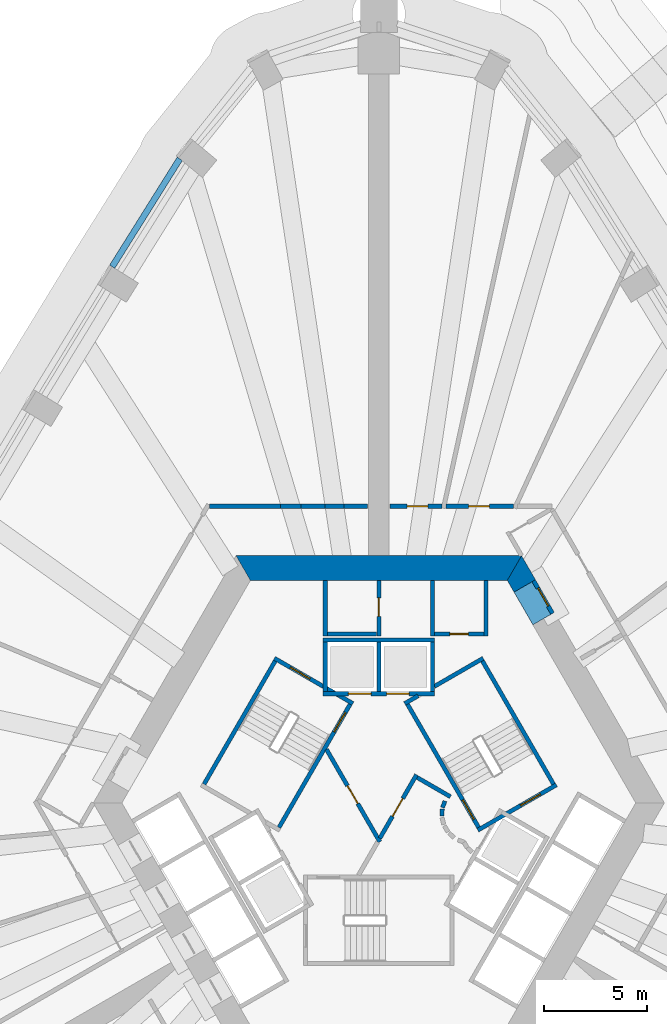
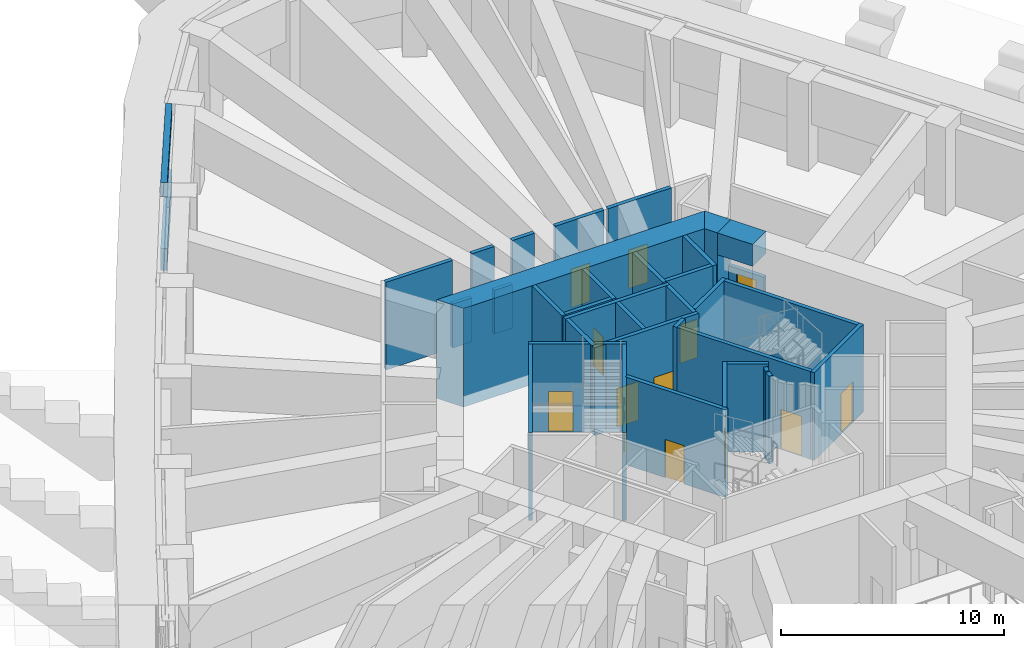
# One storey, part 8 of 20: 37 walls, 13 doors, 13 openings.
"""IFC4 building model written with IfcOpenShell, lengths in metres."""

from ifc_helpers import new_model, si_unit, direction, frame, frame_2d, origin, place, context, subcontext, project, spatial, polyline, rectangle, outline, extrude, material, layer, layer_set, type_object, element, fill, save


model = new_model("IFC4")

# Units and contexts
model_context = context("Model", 3, precision=1e-05, world=origin(), true_north=direction((0.0, 1.0)))
body_context = subcontext(model_context, "Body", "Model", "MODEL_VIEW")
ifc_project = project(units=[si_unit("LENGTHUNIT", "METRE"), si_unit("AREAUNIT", "SQUARE_METRE"), si_unit("VOLUMEUNIT", "CUBIC_METRE"), si_unit("PLANEANGLEUNIT", "RADIAN"), si_unit("MASSUNIT", "GRAM", prefix="KILO")], contexts=[model_context])

# Site, building, storey
site_placement = place(None, origin())
site = spatial("IfcSite", under=ifc_project, at=site_placement, CompositionType="ELEMENT")
building_placement = place(site_placement, origin())
building = spatial("IfcBuilding", under=site, at=building_placement, Name="Entoto Arch Interchange Tower", CompositionType="ELEMENT")
storey_placement = place(building_placement, frame((0.0, 0.0, 184.39990234375)))
storey = spatial("IfcBuildingStorey", under=building, at=storey_placement, Name="L41", CompositionType="ELEMENT", Elevation=184.39990234375)

# Wall, opening, door
ifc_material_1 = material(Name="Reinforced concrete C40/50", Category="concrete")
ifc_layer_1 = layer(ifc_material_1, 0.199951171875)
ifc_layer_set_1 = layer_set([ifc_layer_1], Name="Reinforced concrete C40/50")
wall_type_1 = type_object("IfcWallType", Name="CORE GAP INFILL WALL", PredefinedType="PARTITIONING", material=ifc_layer_set_1)
wall_1_placement = place(storey_placement, frame((8.430908203125, 11.697998046875, 0.0), z_axis=(0.0, 0.0, 1.0), x_axis=(-0.500115259676, 0.865958848352, 0.0)))
wall_1 = element("IfcWall", 1, at=wall_1_placement, inside=storey, type_object=wall_type_1, Name="wall:L41:gap2", PredefinedType="PARTITIONING", context=body_context, shape_type="SweptSolid", body=[
    extrude(rectangle(XDim=1.8291015625, YDim=0.199951171875, at=frame_2d((0.91455078125, 0.0))), origin(), (0.0, 0.0, 1.0), 2.400146484375),
])
opening_1_placement = place(wall_1_placement, frame((0.4150390625, 0.0, 0.0)))
opening_1 = element("IfcOpeningElement", 2, at=opening_1_placement, cuts=wall_1, Name="Opening L41-D92", PredefinedType="OPENING", context=body_context, shape_type="SweptSolid", body=[
    extrude(rectangle(XDim=1.0, YDim=2.10009765625, at=frame_2d((0.5, 1.050048828125))), frame((0.0, 0.10986328125, 0.0), z_axis=(0.0, -1.0, 0.0), x_axis=(1.0, 0.0, 0.0)), (0.0, 0.0, 1.0), 0.219970703125),
])
ifc_material_2 = material(Name="Fire-rated Steel S235 door and frame", Category="steel")
door_type_1 = type_object("IfcDoorType", Name="DOOR FD-10 1000x2100", OperationType="SINGLE_SWING_LEFT", PredefinedType="DOOR", material=ifc_material_2)
door_1_placement = place(opening_1_placement, origin())
door_1 = element("IfcDoor", 3, at=door_1_placement, inside=storey, type_object=door_type_1, Name="door:L41:gap2", OperationType="SINGLE_SWING_LEFT", OverallHeight=2.10009765625, OverallWidth=1.0, PredefinedType="DOOR", context=body_context, shape_type="SweptSolid", body=[
    extrude(rectangle(XDim=1.0, YDim=2.10009765625, at=frame_2d((0.5, 1.050048828125))), frame((0.0, 0.02490234375, 0.0), z_axis=(0.0, -1.0, 0.0), x_axis=(1.0, 0.0, 0.0)), (0.0, 0.0, 1.0), 0.050048828125),
])
fill(opening_1, door_1)

# Walls
ifc_material_3 = material(Name="Concrete C50/60", Category="concrete")
ifc_layer_2 = layer(ifc_material_3, 1.199951171875)
ifc_layer_set_2 = layer_set([ifc_layer_2], Name="Concrete C50/60")
wall_type_2 = type_object("IfcWallType", Name="Core wall 1200 C50/60", PredefinedType="SHEAR", material=ifc_layer_set_2)
wall_2_placement = place(storey_placement, frame((0.0, 0.0, -0.599853515625)))
element("IfcWall", 4, at=wall_2_placement, inside=storey, type_object=wall_type_2, Name="Core wall NE L41", PredefinedType="SHEAR", context=body_context, shape_type="SweptSolid", body=[
    extrude(outline(polyline([(6.56298828125, 12.73193359375), (7.60205078125, 13.33203125), (6.927978515625, 14.5), (6.235107421875, 13.300048828125), (6.56298828125, 12.73193359375)])), origin(), (0.0, 0.0, 1.0), 5.39990234375),
])
wall_3_placement = place(storey_placement, frame((0.0, 0.0, 3.60009765625)))
element("IfcWall", 5, at=wall_3_placement, inside=storey, type_object=wall_type_2, Name="Core wall lintel NE L41", PredefinedType="SHEAR", context=body_context, shape_type="SweptSolid", body=[
    extrude(outline(polyline([(7.60205078125, 13.33203125), (6.56298828125, 12.73193359375), (7.47802734375, 11.14697265625), (8.51708984375, 11.7470703125), (7.60205078125, 13.33203125)])), origin(), (0.0, 0.0, 1.0), 1.199951171875),
])
wall_4_placement = place(storey_placement, frame((0.0, 0.0, -0.599853515625)))
element("IfcWall", 6, at=wall_4_placement, inside=storey, type_object=wall_type_2, Name="Core wall N L41", PredefinedType="SHEAR", context=body_context, shape_type="SweptSolid", body=[
    extrude(outline(polyline([(6.927978515625, 14.5), (-6.927978515625, 14.5), (-6.235107421875, 13.300048828125), (6.235107421875, 13.300048828125), (6.927978515625, 14.5)])), origin(), (0.0, 0.0, 1.0), 5.39990234375),
])

# Wall, openings, doors
ifc_material_4 = material(Name="Concrete C40/50", Category="concrete")
ifc_layer_3 = layer(ifc_material_4, 0.199951171875)
ifc_layer_set_3 = layer_set([ifc_layer_3], Name="Concrete C40/50")
wall_type_3 = type_object("IfcWallType", Name="LIFT SHAFT WALL 200", PredefinedType="STANDARD", material=ifc_layer_set_3)
wall_5_placement = place(storey_placement, frame((2.699951171875, 7.800048828125, 0.0), z_axis=(0.0, 0.0, 1.0), x_axis=(-1.0, 0.0, 0.0)))
wall_5 = element("IfcWall", 7, at=wall_5_placement, inside=storey, type_object=wall_type_3, Name="Shaft wall N1 front", PredefinedType="STANDARD", context=body_context, shape_type="SweptSolid", body=[
    extrude(rectangle(XDim=5.39990234375, YDim=0.199951171875, at=frame_2d((2.699951171875, 0.0))), origin(), (0.0, 0.0, 1.0), 4.800048828125),
])
opening_2_placement = place(wall_5_placement, frame((1.22509765625, 0.0, 0.0)))
opening_2 = element("IfcOpeningElement", 8, at=opening_2_placement, cuts=wall_5, Name="Opening LD-HR1-L41", PredefinedType="OPENING", context=body_context, shape_type="SweptSolid", body=[
    extrude(rectangle(XDim=1.10009765625, YDim=2.10009765625, at=frame_2d((0.550048828125, 1.050048828125))), frame((0.0, 0.10986328125, 0.0), z_axis=(0.0, -1.0, 0.0), x_axis=(1.0, 0.0, 0.0)), (0.0, 0.0, 1.0), 0.219970703125),
])
opening_3_placement = place(wall_5_placement, frame((3.074951171875, 0.0, 0.0)))
opening_3 = element("IfcOpeningElement", 9, at=opening_3_placement, cuts=wall_5, Name="Opening LD-HR2-L41", PredefinedType="OPENING", context=body_context, shape_type="SweptSolid", body=[
    extrude(rectangle(XDim=1.10009765625, YDim=2.10009765625, at=frame_2d((0.550048828125, 1.050048828125))), frame((0.0, 0.10986328125, 0.0), z_axis=(0.0, -1.0, 0.0), x_axis=(1.0, 0.0, 0.0)), (0.0, 0.0, 1.0), 0.219970703125),
])
ifc_material_5 = material(Name="Stainless steel 1.4301 panels", Category="steel")
door_type_2 = type_object("IfcDoorType", Name="LIFT LANDING DOOR LD1 1100x2100", OperationType="SLIDING_TO_LEFT", PredefinedType="DOOR", material=ifc_material_5)
door_2_placement = place(opening_2_placement, origin())
door_2 = element("IfcDoor", 10, at=door_2_placement, inside=storey, type_object=door_type_2, Name="Lift landing door HR1 L41", OperationType="SLIDING_TO_LEFT", OverallHeight=2.10009765625, OverallWidth=1.10009765625, PredefinedType="DOOR", context=body_context, shape_type="SweptSolid", body=[
    extrude(rectangle(XDim=1.10009765625, YDim=2.10009765625, at=frame_2d((0.550048828125, 1.050048828125))), frame((0.0, 0.02490234375, 0.0), z_axis=(0.0, -1.0, 0.0), x_axis=(1.0, 0.0, 0.0)), (0.0, 0.0, 1.0), 0.050048828125),
])
fill(opening_2, door_2)
door_3_placement = place(opening_3_placement, origin())
door_3 = element("IfcDoor", 11, at=door_3_placement, inside=storey, type_object=door_type_2, Name="Lift landing door HR2 L41", OperationType="SLIDING_TO_LEFT", OverallHeight=2.10009765625, OverallWidth=1.10009765625, PredefinedType="DOOR", context=body_context, shape_type="SweptSolid", body=[
    extrude(rectangle(XDim=1.10009765625, YDim=2.10009765625, at=frame_2d((0.550048828125, 1.050048828125))), frame((0.0, 0.02490234375, 0.0), z_axis=(0.0, -1.0, 0.0), x_axis=(1.0, 0.0, 0.0)), (0.0, 0.0, 1.0), 0.050048828125),
])
fill(opening_3, door_3)

# Walls
wall_6_placement = place(storey_placement, frame((2.699951171875, 10.39990234375, 0.0), z_axis=(0.0, 0.0, 1.0), x_axis=(-1.0, 0.0, 0.0)))
element("IfcWall", 12, at=wall_6_placement, inside=storey, type_object=wall_type_3, Name="Shaft wall N1 back", PredefinedType="STANDARD", context=body_context, shape_type="SweptSolid", body=[
    extrude(rectangle(XDim=5.39990234375, YDim=0.199951171875, at=frame_2d((2.699951171875, 0.0))), origin(), (0.0, 0.0, 1.0), 4.800048828125),
])
for number, where, z_axis, x_axis, name in (
    (13, (2.60009765625, 7.89990234375, 0.0), (0.0, 0.0, 1.0), (0.0, 1.0, 0.0), "Shaft wall N1 cross 1"),
    (14, (0.0, 7.89990234375, 0.0), (0.0, 0.0, 1.0), (0.0, 1.0, 0.0), "Shaft wall N1 cross 2"),
    (15, (-2.60009765625, 7.89990234375, 0.0), (0.0, 0.0, 1.0), (0.0, 1.0, 0.0), "Shaft wall N1 cross 3"),
):
    element("IfcWall", number, at=place(storey_placement, frame(where, z_axis=z_axis, x_axis=x_axis)), inside=storey, type_object=wall_type_3, Name=name, PredefinedType="STANDARD", context=body_context, shape_type="SweptSolid", body=[
        extrude(rectangle(XDim=2.400146484375, YDim=0.199951171875, at=frame_2d((1.2001953125, 0.0))), origin(), (0.0, 0.0, 1.0), 4.800048828125),
    ])
ifc_material_6 = material(Name="Gypsum board partition on steel studs", Category="steel")
ifc_layer_4 = layer(ifc_material_6, 0.199951171875)
ifc_layer_set_4 = layer_set([ifc_layer_4], Name="Gypsum board partition on steel studs")
wall_type_4 = type_object("IfcWallType", Name="PARTITION 200", PredefinedType="PARTITIONING", material=ifc_layer_set_4)
wall_7_placement = place(storey_placement, frame((5.199951171875, 13.300048828125, 0.0), z_axis=(0.0, 0.0, 1.0), x_axis=(0.0, -1.0, 0.0)))
element("IfcWall", 16, at=wall_7_placement, inside=storey, type_object=wall_type_4, Name="wall:L41:p001", PredefinedType="PARTITIONING", context=body_context, shape_type="SweptSolid", body=[
    extrude(rectangle(XDim=2.699951171875, YDim=0.199951171875, at=frame_2d((1.35009765625, 0.0))), origin(), (0.0, 0.0, 1.0), 4.800048828125),
])

# Wall, opening, door
wall_8_placement = place(storey_placement, frame((5.10009765625, 10.699951171875, 0.0), z_axis=(0.0, 0.0, 1.0), x_axis=(-1.0, 0.0, 0.0)))
wall_8 = element("IfcWall", 17, at=wall_8_placement, inside=storey, type_object=wall_type_4, Name="wall:L41:p002", PredefinedType="PARTITIONING", context=body_context, shape_type="SweptSolid", body=[
    extrude(rectangle(XDim=2.400146484375, YDim=0.199951171875, at=frame_2d((1.2001953125, 0.0))), origin(), (0.0, 0.0, 1.0), 4.800048828125),
])
opening_4_placement = place(wall_8_placement, frame((0.75, 0.0, 0.0)))
opening_4 = element("IfcOpeningElement", 18, at=opening_4_placement, cuts=wall_8, Name="Opening L41-D22", PredefinedType="OPENING", context=body_context, shape_type="SweptSolid", body=[
    extrude(rectangle(XDim=0.89990234375, YDim=2.10009765625, at=frame_2d((0.449951171875, 1.050048828125))), frame((0.0, 0.10986328125, 0.0), z_axis=(0.0, -1.0, 0.0), x_axis=(1.0, 0.0, 0.0)), (0.0, 0.0, 1.0), 0.219970703125),
])
ifc_material_7 = material(Name="Timber door leaf in Steel S235 frame", Category="steel")
door_type_3 = type_object("IfcDoorType", Name="DOOR DS-09 900x2100", OperationType="SINGLE_SWING_LEFT", PredefinedType="DOOR", material=ifc_material_7)
door_4_placement = place(opening_4_placement, origin())
door_4 = element("IfcDoor", 19, at=door_4_placement, inside=storey, type_object=door_type_3, Name="door:L41:22", OperationType="SINGLE_SWING_RIGHT", OverallHeight=2.10009765625, OverallWidth=0.89990234375, PredefinedType="DOOR", context=body_context, shape_type="SweptSolid", body=[
    extrude(rectangle(XDim=0.89990234375, YDim=2.10009765625, at=frame_2d((0.449951171875, 1.050048828125))), frame((0.0, 0.02490234375, 0.0), z_axis=(0.0, -1.0, 0.0), x_axis=(1.0, 0.0, 0.0)), (0.0, 0.0, 1.0), 0.050048828125),
])
fill(opening_4, door_4)

# Wall
wall_9_placement = place(storey_placement, frame((2.60009765625, 10.60009765625, 0.0), z_axis=(0.0, 0.0, 1.0), x_axis=(0.0, 1.0, 0.0)))
element("IfcWall", 20, at=wall_9_placement, inside=storey, type_object=wall_type_4, Name="wall:L41:p003", PredefinedType="PARTITIONING", context=body_context, shape_type="SweptSolid", body=[
    extrude(rectangle(XDim=2.699951171875, YDim=0.199951171875, at=frame_2d((1.35009765625, 0.0))), origin(), (0.0, 0.0, 1.0), 4.800048828125),
])

# Wall, opening, door
wall_10_placement = place(storey_placement, frame((0.0, 13.300048828125, 0.0), z_axis=(0.0, 0.0, 1.0), x_axis=(0.0, -1.0, 0.0)))
wall_10 = element("IfcWall", 21, at=wall_10_placement, inside=storey, type_object=wall_type_4, Name="wall:L41:p004", PredefinedType="PARTITIONING", context=body_context, shape_type="SweptSolid", body=[
    extrude(rectangle(XDim=2.699951171875, YDim=0.199951171875, at=frame_2d((1.35009765625, 0.0))), origin(), (0.0, 0.0, 1.0), 4.800048828125),
])
opening_5_placement = place(wall_10_placement, frame((0.85009765625, 0.0, 0.0)))
opening_5 = element("IfcOpeningElement", 22, at=opening_5_placement, cuts=wall_10, Name="Opening L41-D23", PredefinedType="OPENING", context=body_context, shape_type="SweptSolid", body=[
    extrude(rectangle(XDim=0.89990234375, YDim=2.10009765625, at=frame_2d((0.449951171875, 1.050048828125))), frame((0.0, 0.10986328125, 0.0), z_axis=(0.0, -1.0, 0.0), x_axis=(1.0, 0.0, 0.0)), (0.0, 0.0, 1.0), 0.219970703125),
])
door_5_placement = place(opening_5_placement, origin())
door_5 = element("IfcDoor", 23, at=door_5_placement, inside=storey, type_object=door_type_3, Name="door:L41:23", OperationType="SINGLE_SWING_RIGHT", OverallHeight=2.10009765625, OverallWidth=0.89990234375, PredefinedType="DOOR", context=body_context, shape_type="SweptSolid", body=[
    extrude(rectangle(XDim=0.89990234375, YDim=2.10009765625, at=frame_2d((0.449951171875, 1.050048828125))), frame((0.0, 0.02490234375, 0.0), z_axis=(0.0, -1.0, 0.0), x_axis=(1.0, 0.0, 0.0)), (0.0, 0.0, 1.0), 0.050048828125),
])
fill(opening_5, door_5)

# Walls
wall_11_placement = place(storey_placement, frame((-0.10009765625, 10.699951171875, 0.0), z_axis=(0.0, 0.0, 1.0), x_axis=(-1.0, 0.0, 0.0)))
element("IfcWall", 24, at=wall_11_placement, inside=storey, type_object=wall_type_4, Name="wall:L41:p005", PredefinedType="PARTITIONING", context=body_context, shape_type="SweptSolid", body=[
    extrude(rectangle(XDim=2.39990234375, YDim=0.199951171875, at=frame_2d((1.199951171875, 0.0))), origin(), (0.0, 0.0, 1.0), 4.800048828125),
])
wall_12_placement = place(storey_placement, frame((-2.60009765625, 10.60009765625, 0.0), z_axis=(0.0, 0.0, 1.0), x_axis=(0.0, 1.0, 0.0)))
element("IfcWall", 25, at=wall_12_placement, inside=storey, type_object=wall_type_4, Name="wall:L41:p006", PredefinedType="PARTITIONING", context=body_context, shape_type="SweptSolid", body=[
    extrude(rectangle(XDim=2.699951171875, YDim=0.199951171875, at=frame_2d((1.35009765625, 0.0))), origin(), (0.0, 0.0, 1.0), 4.800048828125),
])
wall_13_placement = place(storey_placement, frame((1.865966796875, 3.73193359375, 0.0), z_axis=(0.0, 0.0, 1.0), x_axis=(0.866043361281, -0.499968895414, 0.0)))
element("IfcWall", 26, at=wall_13_placement, inside=storey, type_object=wall_type_4, Name="wall:L41:p008", PredefinedType="PARTITIONING", context=body_context, shape_type="SweptSolid", body=[
    extrude(rectangle(XDim=1.85791015625, YDim=0.199951171875, at=frame_2d((0.928955078125, 0.0))), origin(), (0.0, 0.0, 1.0), 4.800048828125),
])
wall_14_placement = place(storey_placement, frame((3.2080078125, 2.592041015625, 0.0), z_axis=(0.0, 0.0, 1.0), x_axis=(-0.337388820924, -0.941365382578, 0.0)))
element("IfcWall", 27, at=wall_14_placement, inside=storey, type_object=wall_type_4, Name="wall:L41:p009", PredefinedType="PARTITIONING", context=body_context, shape_type="SweptSolid", body=[
    extrude(rectangle(XDim=0.337890625, YDim=0.199951171875, at=frame_2d((0.1689453125, 0.0))), origin(), (0.0, 0.0, 1.0), 4.800048828125),
])
wall_15_placement = place(storey_placement, frame((3.0791015625, 2.198974609375, 0.0), z_axis=(0.0, 0.0, 1.0), x_axis=(-0.047771483479, -0.998858290933, 0.0)))
element("IfcWall", 28, at=wall_15_placement, inside=storey, type_object=wall_type_4, Name="wall:L41:p010", PredefinedType="PARTITIONING", context=body_context, shape_type="SweptSolid", body=[
    extrude(rectangle(XDim=0.33740234375, YDim=0.199951171875, at=frame_2d((0.168701171875, 0.0))), origin(), (0.0, 0.0, 1.0), 4.800048828125),
])

# Wall, opening, door
wall_16_placement = place(storey_placement, frame((0.050048828125, 0.787109375, 0.0), z_axis=(0.0, 0.0, 1.0), x_axis=(0.499954076797, 0.866051915934, 0.0)))
wall_16 = element("IfcWall", 29, at=wall_16_placement, inside=storey, type_object=wall_type_4, Name="wall:L41:p017", PredefinedType="PARTITIONING", context=body_context, shape_type="SweptSolid", body=[
    extrude(rectangle(XDim=3.558349609375, YDim=0.199951171875, at=frame_2d((1.779296875, 0.0))), origin(), (0.0, 0.0, 1.0), 4.800048828125),
])
opening_6_placement = place(wall_16_placement, frame((1.22900390625, 0.0, 0.0)))
opening_6 = element("IfcOpeningElement", 30, at=opening_6_placement, cuts=wall_16, Name="Opening L41-D20", PredefinedType="OPENING", context=body_context, shape_type="SweptSolid", body=[
    extrude(rectangle(XDim=1.0, YDim=2.10009765625, at=frame_2d((0.5, 1.050048828125))), frame((0.0, 0.10986328125, 0.0), z_axis=(0.0, -1.0, 0.0), x_axis=(1.0, 0.0, 0.0)), (0.0, 0.0, 1.0), 0.219970703125),
])
door_6_placement = place(opening_6_placement, origin())
door_6 = element("IfcDoor", 31, at=door_6_placement, inside=storey, type_object=door_type_1, Name="door:L41:20", OperationType="SINGLE_SWING_RIGHT", OverallHeight=2.10009765625, OverallWidth=1.0, PredefinedType="DOOR", context=body_context, shape_type="SweptSolid", body=[
    extrude(rectangle(XDim=1.0, YDim=2.10009765625, at=frame_2d((0.5, 1.050048828125))), frame((0.0, 0.02490234375, 0.0), z_axis=(0.0, -1.0, 0.0), x_axis=(1.0, 0.0, 0.0)), (0.0, 0.0, 1.0), 0.050048828125),
])
fill(opening_6, door_6)

wall_17_placement = place(storey_placement, frame((-2.5400390625, 5.10009765625, 0.0), z_axis=(0.0, 0.0, 1.0), x_axis=(0.499925051871, -0.866068670783, 0.0)))
wall_17 = element("IfcWall", 32, at=wall_17_placement, inside=storey, type_object=wall_type_4, Name="wall:L41:p018", PredefinedType="PARTITIONING", context=body_context, shape_type="SweptSolid", body=[
    extrude(rectangle(XDim=5.180908203125, YDim=0.199951171875, at=frame_2d((2.59033203125, 0.0))), origin(), (0.0, 0.0, 1.0), 4.800048828125),
])
opening_7_placement = place(wall_17_placement, frame((2.0400390625, 0.0, 0.0)))
opening_7 = element("IfcOpeningElement", 33, at=opening_7_placement, cuts=wall_17, Name="Opening L41-D21", PredefinedType="OPENING", context=body_context, shape_type="SweptSolid", body=[
    extrude(rectangle(XDim=1.0, YDim=2.10009765625, at=frame_2d((0.5, 1.050048828125))), frame((0.0, 0.10986328125, 0.0), z_axis=(0.0, -1.0, 0.0), x_axis=(1.0, 0.0, 0.0)), (0.0, 0.0, 1.0), 0.219970703125),
])
door_7_placement = place(opening_7_placement, origin())
door_7 = element("IfcDoor", 34, at=door_7_placement, inside=storey, type_object=door_type_1, Name="door:L41:21", OperationType="SINGLE_SWING_RIGHT", OverallHeight=2.10009765625, OverallWidth=1.0, PredefinedType="DOOR", context=body_context, shape_type="SweptSolid", body=[
    extrude(rectangle(XDim=1.0, YDim=2.10009765625, at=frame_2d((0.5, 1.050048828125))), frame((0.0, 0.02490234375, 0.0), z_axis=(0.0, -1.0, 0.0), x_axis=(1.0, 0.0, 0.0)), (0.0, 0.0, 1.0), 0.050048828125),
])
fill(opening_7, door_7)

wall_18_placement = place(storey_placement, frame((3.260009765625, 16.89990234375, 0.0), z_axis=(0.0, 0.0, 1.0), x_axis=(1.0, 0.0, 0.0)))
wall_18 = element("IfcWall", 35, at=wall_18_placement, inside=storey, type_object=wall_type_4, Name="wall:L41:p046", PredefinedType="PARTITIONING", context=body_context, shape_type="SweptSolid", body=[
    extrude(rectangle(XDim=3.281005859375, YDim=0.199951171875, at=frame_2d((1.640625, 0.0))), origin(), (0.0, 0.0, 1.0), 4.800048828125),
])
opening_8_placement = place(wall_18_placement, frame((1.10302734375, 0.0, 0.0)))
opening_8 = element("IfcOpeningElement", 36, at=opening_8_placement, cuts=wall_18, Name="Opening L41-D10", PredefinedType="OPENING", context=body_context, shape_type="SweptSolid", body=[
    extrude(rectangle(XDim=1.0, YDim=2.10009765625, at=frame_2d((0.5, 1.050048828125))), frame((0.0, 0.10986328125, 0.0), z_axis=(0.0, -1.0, 0.0), x_axis=(1.0, 0.0, 0.0)), (0.0, 0.0, 1.0), 0.219970703125),
])
door_8_placement = place(opening_8_placement, origin())
door_8 = element("IfcDoor", 37, at=door_8_placement, inside=storey, type_object=door_type_1, Name="door:L41:10", OperationType="SINGLE_SWING_RIGHT", OverallHeight=2.10009765625, OverallWidth=1.0, PredefinedType="DOOR", context=body_context, shape_type="SweptSolid", body=[
    extrude(rectangle(XDim=1.0, YDim=2.10009765625, at=frame_2d((0.5, 1.050048828125))), frame((0.0, 0.02490234375, 0.0), z_axis=(0.0, -1.0, 0.0), x_axis=(1.0, 0.0, 0.0)), (0.0, 0.0, 1.0), 0.050048828125),
])
fill(opening_8, door_8)

wall_19_placement = place(storey_placement, frame((0.550048828125, 16.89990234375, 0.0), z_axis=(0.0, 0.0, 1.0), x_axis=(1.0, 0.0, 0.0)))
wall_19 = element("IfcWall", 38, at=wall_19_placement, inside=storey, type_object=wall_type_4, Name="wall:L41:p047", PredefinedType="PARTITIONING", context=body_context, shape_type="SweptSolid", body=[
    extrude(rectangle(XDim=2.510009765625, YDim=0.199951171875, at=frame_2d((1.2548828125, 0.0))), origin(), (0.0, 0.0, 1.0), 4.800048828125),
])
opening_9_placement = place(wall_19_placement, frame((0.830078125, 0.0, 0.0)))
opening_9 = element("IfcOpeningElement", 39, at=opening_9_placement, cuts=wall_19, Name="Opening L41-D11", PredefinedType="OPENING", context=body_context, shape_type="SweptSolid", body=[
    extrude(rectangle(XDim=1.0, YDim=2.10009765625, at=frame_2d((0.5, 1.050048828125))), frame((0.0, 0.10986328125, 0.0), z_axis=(0.0, -1.0, 0.0), x_axis=(1.0, 0.0, 0.0)), (0.0, 0.0, 1.0), 0.219970703125),
])
door_9_placement = place(opening_9_placement, origin())
door_9 = element("IfcDoor", 40, at=door_9_placement, inside=storey, type_object=door_type_1, Name="door:L41:11", OperationType="SINGLE_SWING_LEFT", OverallHeight=2.10009765625, OverallWidth=1.0, PredefinedType="DOOR", context=body_context, shape_type="SweptSolid", body=[
    extrude(rectangle(XDim=1.0, YDim=2.10009765625, at=frame_2d((0.5, 1.050048828125))), frame((0.0, 0.02490234375, 0.0), z_axis=(0.0, -1.0, 0.0), x_axis=(1.0, 0.0, 0.0)), (0.0, 0.0, 1.0), 0.050048828125),
])
fill(opening_9, door_9)

# Walls
wall_20_placement = place(storey_placement, frame((-8.214111328125, 16.89990234375, 0.0), z_axis=(0.0, 0.0, 1.0), x_axis=(1.0, 0.0, 0.0)))
element("IfcWall", 41, at=wall_20_placement, inside=storey, type_object=wall_type_4, Name="wall:L41:p057", PredefinedType="PARTITIONING", context=body_context, shape_type="SweptSolid", body=[
    extrude(rectangle(XDim=3.441162109375, YDim=0.199951171875, at=frame_2d((1.720703125, 0.0))), origin(), (0.0, 0.0, 1.0), 4.800048828125),
])
wall_21_placement = place(storey_placement, frame((-4.77294921875, 16.89990234375, 0.0), z_axis=(0.0, 0.0, 1.0), x_axis=(1.0, 0.0, 0.0)))
element("IfcWall", 42, at=wall_21_placement, inside=storey, type_object=wall_type_4, Name="wall:L41:p057", PredefinedType="PARTITIONING", context=body_context, shape_type="SweptSolid", body=[
    extrude(rectangle(XDim=0.998046875, YDim=0.199951171875, at=frame_2d((0.4990234375, 0.0))), origin(), (0.0, 0.0, 1.0), 2.400146484375),
])
wall_22_placement = place(storey_placement, frame((-3.77490234375, 16.89990234375, 0.0), z_axis=(0.0, 0.0, 1.0), x_axis=(1.0, 0.0, 0.0)))
element("IfcWall", 43, at=wall_22_placement, inside=storey, type_object=wall_type_4, Name="wall:L41:p057", PredefinedType="PARTITIONING", context=body_context, shape_type="SweptSolid", body=[
    extrude(rectangle(XDim=1.15283203125, YDim=0.199951171875, at=frame_2d((0.576416015625, 0.0))), origin(), (0.0, 0.0, 1.0), 4.800048828125),
])
wall_23_placement = place(storey_placement, frame((-2.6220703125, 16.89990234375, 0.0), z_axis=(0.0, 0.0, 1.0), x_axis=(1.0, 0.0, 0.0)))
element("IfcWall", 44, at=wall_23_placement, inside=storey, type_object=wall_type_4, Name="wall:L41:p057", PredefinedType="PARTITIONING", context=body_context, shape_type="SweptSolid", body=[
    extrude(rectangle(XDim=0.940185546875, YDim=0.199951171875, at=frame_2d((0.47021484375, 0.0))), origin(), (0.0, 0.0, 1.0), 2.400146484375),
])
wall_24_placement = place(storey_placement, frame((-1.681884765625, 16.89990234375, 0.0), z_axis=(0.0, 0.0, 1.0), x_axis=(1.0, 0.0, 0.0)))
element("IfcWall", 45, at=wall_24_placement, inside=storey, type_object=wall_type_4, Name="wall:L41:p057", PredefinedType="PARTITIONING", context=body_context, shape_type="SweptSolid", body=[
    extrude(rectangle(XDim=1.1318359375, YDim=0.199951171875, at=frame_2d((0.56591796875, 0.0))), origin(), (0.0, 0.0, 1.0), 4.800048828125),
])
ifc_material_8 = material(Name="Board-marked precast concrete C50/60", Category="concrete")
ifc_layer_5 = layer(ifc_material_8, 0.300048828125)
ifc_layer_set_5 = layer_set([ifc_layer_5], Name="Board-marked precast concrete C50/60")
wall_type_5 = type_object("IfcWallType", Name="PRECAST FRAME WALL 300", PredefinedType="STANDARD", material=ifc_layer_set_5)
wall_25_placement = place(storey_placement, frame((-9.658935546875, 33.762939453125, 0.0), z_axis=(0.0, 0.0, 1.0), x_axis=(-0.530698032758, -0.847560970094, 0.0)))
element("IfcWall", 46, at=wall_25_placement, inside=storey, type_object=wall_type_5, Name="Frame sill wall NW-01 L41", PredefinedType="STANDARD", context=body_context, shape_type="SweptSolid", body=[
    extrude(rectangle(XDim=6.182373046875, YDim=0.300048828125, at=frame_2d((3.09130859375, 0.0))), origin(), (0.0, 0.0, 1.0), 1.2001953125),
])
wall_26_placement = place(storey_placement, frame((-9.658935546875, 33.762939453125, 4.0), z_axis=(0.0, 0.0, 1.0), x_axis=(-0.530698032758, -0.847560970094, 0.0)))
element("IfcWall", 47, at=wall_26_placement, inside=storey, type_object=wall_type_5, Name="Frame head wall NW-01 L41", PredefinedType="STANDARD", context=body_context, shape_type="SweptSolid", body=[
    extrude(rectangle(XDim=6.182373046875, YDim=0.300048828125, at=frame_2d((3.09130859375, 0.0))), origin(), (0.0, 0.0, 1.0), 0.800048828125),
])

# Wall, opening, door
ifc_layer_6 = layer(ifc_material_4, 0.199951171875)
ifc_layer_set_6 = layer_set([ifc_layer_6], Name="Concrete C40/50")
wall_type_6 = type_object("IfcWallType", Name="STAIR ENCLOSURE WALL 200", PredefinedType="STANDARD", material=ifc_layer_set_6)
wall_27_placement = place(storey_placement, frame((4.805908203125, 1.176025390625, 0.0), z_axis=(0.0, 0.0, 1.0), x_axis=(0.866059941101, 0.499940174841, 0.0)))
wall_27 = element("IfcWall", 48, at=wall_27_placement, inside=storey, type_object=wall_type_6, Name="Stair wall ST-NE near", PredefinedType="STANDARD", context=body_context, shape_type="SweptSolid", body=[
    extrude(rectangle(XDim=4.400390625, YDim=0.199951171875, at=frame_2d((2.2001953125, 0.0))), origin(), (0.0, 0.0, 1.0), 4.800048828125),
])
opening_10_placement = place(wall_27_placement, frame((2.39990234375, 0.0, 0.0)))
opening_10 = element("IfcOpeningElement", 49, at=opening_10_placement, cuts=wall_27, Name="Opening SD-ST-NE-L41-E", PredefinedType="OPENING", context=body_context, shape_type="SweptSolid", body=[
    extrude(rectangle(XDim=1.10009765625, YDim=2.199951171875, at=frame_2d((0.550048828125, 1.10009765625))), frame((0.0, 0.10986328125, 0.0), z_axis=(0.0, -1.0, 0.0), x_axis=(1.0, 0.0, 0.0)), (0.0, 0.0, 1.0), 0.219970703125),
])
ifc_material_9 = material(Name="Steel S235", Category="steel")
door_type_4 = type_object("IfcDoorType", Name="STAIR DOOR SD1 1100x2200", OperationType="SINGLE_SWING_LEFT", PredefinedType="DOOR", material=ifc_material_9)
door_10_placement = place(opening_10_placement, origin())
door_10 = element("IfcDoor", 50, at=door_10_placement, inside=storey, type_object=door_type_4, Name="Stair door ST-NE L41 end", OperationType="SINGLE_SWING_LEFT", OverallHeight=2.199951171875, OverallWidth=1.10009765625, PredefinedType="DOOR", context=body_context, shape_type="SweptSolid", body=[
    extrude(rectangle(XDim=1.10009765625, YDim=2.199951171875, at=frame_2d((0.550048828125, 1.10009765625))), frame((0.0, 0.02490234375, 0.0), z_axis=(0.0, -1.0, 0.0), x_axis=(1.0, 0.0, 0.0)), (0.0, 0.0, 1.0), 0.050048828125),
])
fill(opening_10, door_10)

# Walls
wall_28_placement = place(storey_placement, frame((2.699951171875, 8.157958984375, 0.0), z_axis=(0.0, 0.0, 1.0), x_axis=(0.86611865017, 0.499838457731, 0.0)))
element("IfcWall", 51, at=wall_28_placement, inside=storey, type_object=wall_type_6, Name="Stair wall ST-NE far", PredefinedType="STANDARD", context=body_context, shape_type="SweptSolid", body=[
    extrude(rectangle(XDim=2.73291015625, YDim=0.199951171875, at=frame_2d((1.366455078125, 0.0))), origin(), (0.0, 0.0, 1.0), 4.800048828125),
])
wall_29_placement = place(storey_placement, frame((1.256103515625, 7.323974609375, 0.0), z_axis=(0.0, 0.0, 1.0), x_axis=(0.865915093549, 0.500191014278, 0.0)))
element("IfcWall", 52, at=wall_29_placement, inside=storey, type_object=wall_type_6, Name="Stair wall ST-NE far return", PredefinedType="STANDARD", context=body_context, shape_type="SweptSolid", body=[
    extrude(rectangle(XDim=0.751708984375, YDim=0.199951171875, at=frame_2d((0.3759765625, 0.0))), origin(), (0.0, 0.0, 1.0), 4.800048828125),
])

# Wall, opening, door
wall_30_placement = place(storey_placement, frame((4.843017578125, 1.31201171875, 0.0), z_axis=(0.0, 0.0, 1.0), x_axis=(-0.499963383562, 0.866046543262, 0.0)))
wall_30 = element("IfcWall", 53, at=wall_30_placement, inside=storey, type_object=wall_type_6, Name="Stair wall ST-NE hall", PredefinedType="STANDARD", context=body_context, shape_type="SweptSolid", body=[
    extrude(rectangle(XDim=6.900390625, YDim=0.199951171875, at=frame_2d((3.4501953125, 0.0))), origin(), (0.0, 0.0, 1.0), 4.800048828125),
])
opening_11_placement = place(wall_30_placement, frame((0.449951171875, 0.0, 0.0)))
opening_11 = element("IfcOpeningElement", 54, at=opening_11_placement, cuts=wall_30, Name="Opening SD-ST-NE-L41", PredefinedType="OPENING", context=body_context, shape_type="SweptSolid", body=[
    extrude(rectangle(XDim=1.10009765625, YDim=2.199951171875, at=frame_2d((0.550048828125, 1.10009765625))), frame((0.0, 0.10986328125, 0.0), z_axis=(0.0, -1.0, 0.0), x_axis=(1.0, 0.0, 0.0)), (0.0, 0.0, 1.0), 0.219970703125),
])
door_11_placement = place(opening_11_placement, origin())
door_11 = element("IfcDoor", 55, at=door_11_placement, inside=storey, type_object=door_type_4, Name="Stair door ST-NE L41", OperationType="SINGLE_SWING_LEFT", OverallHeight=2.199951171875, OverallWidth=1.10009765625, PredefinedType="DOOR", context=body_context, shape_type="SweptSolid", body=[
    extrude(rectangle(XDim=1.10009765625, YDim=2.199951171875, at=frame_2d((0.550048828125, 1.10009765625))), frame((0.0, 0.02490234375, 0.0), z_axis=(0.0, -1.0, 0.0), x_axis=(1.0, 0.0, 0.0)), (0.0, 0.0, 1.0), 0.050048828125),
])
fill(opening_11, door_11)

# Wall
wall_31_placement = place(storey_placement, frame((8.47998046875, 3.412109375, 0.0), z_axis=(0.0, 0.0, 1.0), x_axis=(-0.499978703459, 0.866037698999, 0.0)))
element("IfcWall", 56, at=wall_31_placement, inside=storey, type_object=wall_type_6, Name="Stair wall ST-NE back", PredefinedType="STANDARD", context=body_context, shape_type="SweptSolid", body=[
    extrude(rectangle(XDim=6.900146484375, YDim=0.199951171875, at=frame_2d((3.4501953125, 0.0))), origin(), (0.0, 0.0, 1.0), 4.800048828125),
])

# Wall, opening, door
wall_32_placement = place(storey_placement, frame((-1.256103515625, 7.323974609375, 0.0), z_axis=(0.0, 0.0, 1.0), x_axis=(-0.866046073146, 0.499964197906, 0.0)))
wall_32 = element("IfcWall", 57, at=wall_32_placement, inside=storey, type_object=wall_type_6, Name="Stair wall ST-NW near", PredefinedType="STANDARD", context=body_context, shape_type="SweptSolid", body=[
    extrude(rectangle(XDim=4.400146484375, YDim=0.199951171875, at=frame_2d((2.2001953125, 0.0))), origin(), (0.0, 0.0, 1.0), 4.800048828125),
])
opening_12_placement = place(wall_32_placement, frame((2.39990234375, 0.0, 0.0)))
opening_12 = element("IfcOpeningElement", 58, at=opening_12_placement, cuts=wall_32, Name="Opening SD-ST-NW-L41-E", PredefinedType="OPENING", context=body_context, shape_type="SweptSolid", body=[
    extrude(rectangle(XDim=1.10009765625, YDim=2.199951171875, at=frame_2d((0.550048828125, 1.10009765625))), frame((0.0, 0.10986328125, 0.0), z_axis=(0.0, -1.0, 0.0), x_axis=(1.0, 0.0, 0.0)), (0.0, 0.0, 1.0), 0.219970703125),
])
door_12_placement = place(opening_12_placement, origin())
door_12 = element("IfcDoor", 59, at=door_12_placement, inside=storey, type_object=door_type_4, Name="Stair door ST-NW L41 end", OperationType="SINGLE_SWING_LEFT", OverallHeight=2.199951171875, OverallWidth=1.10009765625, PredefinedType="DOOR", context=body_context, shape_type="SweptSolid", body=[
    extrude(rectangle(XDim=1.10009765625, YDim=2.199951171875, at=frame_2d((0.550048828125, 1.10009765625))), frame((0.0, 0.02490234375, 0.0), z_axis=(0.0, -1.0, 0.0), x_axis=(1.0, 0.0, 0.0)), (0.0, 0.0, 1.0), 0.050048828125),
])
fill(opening_12, door_12)

wall_33_placement = place(storey_placement, frame((-1.39306640625, 7.2880859375, 0.0), z_axis=(0.0, 0.0, 1.0), x_axis=(-0.499963383562, -0.866046543262, 0.0)))
wall_33 = element("IfcWall", 60, at=wall_33_placement, inside=storey, type_object=wall_type_6, Name="Stair wall ST-NW hall", PredefinedType="STANDARD", context=body_context, shape_type="SweptSolid", body=[
    extrude(rectangle(XDim=6.900390625, YDim=0.199951171875, at=frame_2d((3.4501953125, 0.0))), origin(), (0.0, 0.0, 1.0), 4.800048828125),
])
opening_13_placement = place(wall_33_placement, frame((0.449951171875, 0.0, 0.0)))
opening_13 = element("IfcOpeningElement", 61, at=opening_13_placement, cuts=wall_33, Name="Opening SD-ST-NW-L41", PredefinedType="OPENING", context=body_context, shape_type="SweptSolid", body=[
    extrude(rectangle(XDim=1.10009765625, YDim=2.199951171875, at=frame_2d((0.550048828125, 1.10009765625))), frame((0.0, 0.10986328125, 0.0), z_axis=(0.0, -1.0, 0.0), x_axis=(1.0, 0.0, 0.0)), (0.0, 0.0, 1.0), 0.219970703125),
])
door_13_placement = place(opening_13_placement, origin())
door_13 = element("IfcDoor", 62, at=door_13_placement, inside=storey, type_object=door_type_4, Name="Stair door ST-NW L41", OperationType="SINGLE_SWING_LEFT", OverallHeight=2.199951171875, OverallWidth=1.10009765625, PredefinedType="DOOR", context=body_context, shape_type="SweptSolid", body=[
    extrude(rectangle(XDim=1.10009765625, YDim=2.199951171875, at=frame_2d((0.550048828125, 1.10009765625))), frame((0.0, 0.02490234375, 0.0), z_axis=(0.0, -1.0, 0.0), x_axis=(1.0, 0.0, 0.0)), (0.0, 0.0, 1.0), 0.050048828125),
])
fill(opening_13, door_13)

# Wall
wall_34_placement = place(storey_placement, frame((-5.030029296875, 9.387939453125, 0.0), z_axis=(0.0, 0.0, 1.0), x_axis=(-0.499978703459, -0.866037698999, 0.0)))
element("IfcWall", 63, at=wall_34_placement, inside=storey, type_object=wall_type_6, Name="Stair wall ST-NW back", PredefinedType="STANDARD", context=body_context, shape_type="SweptSolid", body=[
    extrude(rectangle(XDim=6.900146484375, YDim=0.199951171875, at=frame_2d((3.4501953125, 0.0))), origin(), (0.0, 0.0, 1.0), 4.800048828125),
])

save(model, "model.ifc")
